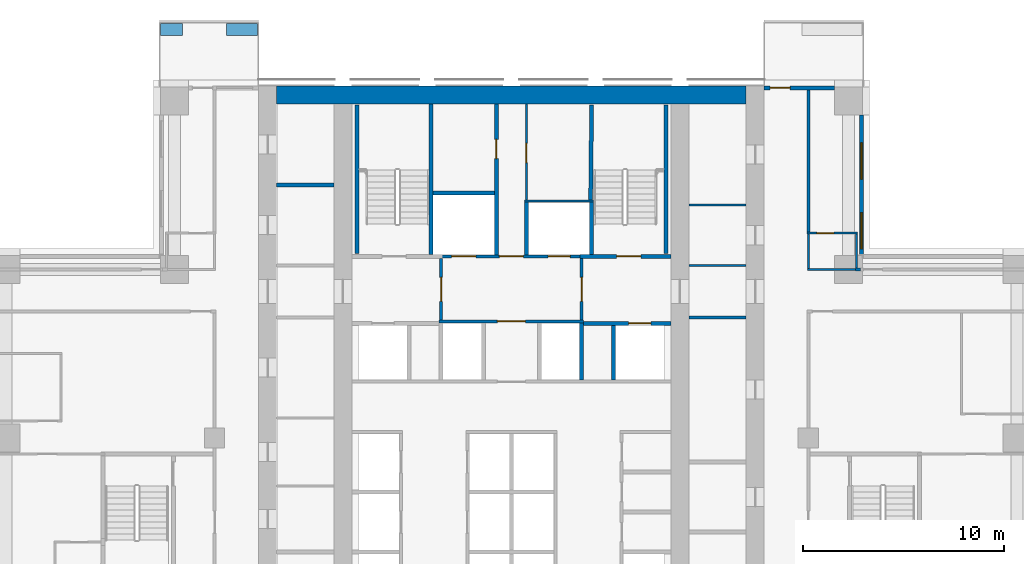
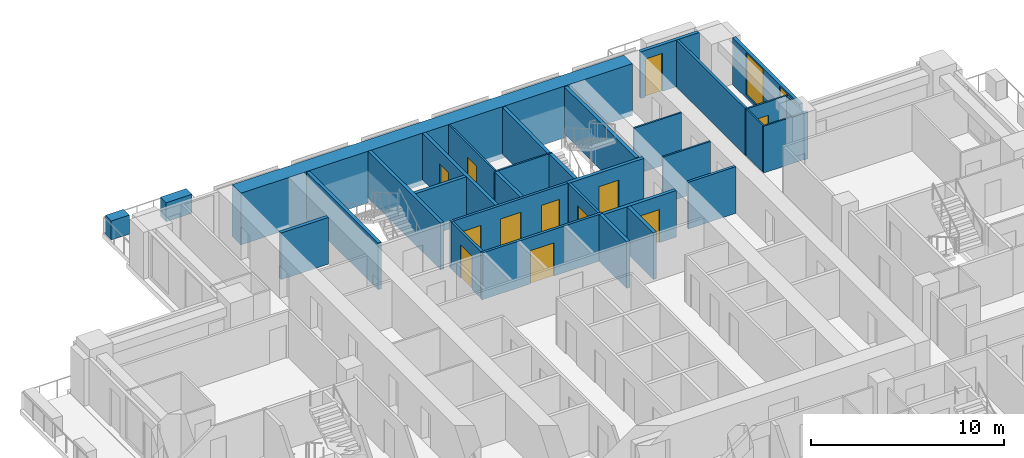
# One storey, part 11 of 16: 33 walls, 12 doors, 2 windows, 14 openings.
"""IFC4 building model written with IfcOpenShell, lengths in metres."""

from ifc_helpers import new_model, si_unit, direction, frame, frame_2d, origin, place, context, subcontext, project, spatial, rectangle, extrude, material, layer, layer_set, type_object, element, fill, save


model = new_model("IFC4")

# Units and contexts
model_context = context("Model", 3, precision=1e-05, world=origin(), true_north=direction((0.0, 1.0)))
body_context = subcontext(model_context, "Body", "Model", "MODEL_VIEW")
ifc_project = project(units=[si_unit("LENGTHUNIT", "METRE"), si_unit("AREAUNIT", "SQUARE_METRE"), si_unit("VOLUMEUNIT", "CUBIC_METRE"), si_unit("PLANEANGLEUNIT", "RADIAN"), si_unit("MASSUNIT", "GRAM", prefix="KILO")], contexts=[model_context])

# Site, building, storey
site_placement = place(None, origin())
site = spatial("IfcSite", under=ifc_project, at=site_placement, CompositionType="ELEMENT")
building_placement = place(site_placement, origin())
building = spatial("IfcBuilding", under=site, at=building_placement, Name="Vermilion Ogive Tower", CompositionType="ELEMENT")
storey_placement = place(building_placement, frame((0.0, 0.0, 72.449951171875)))
storey = spatial("IfcBuildingStorey", under=building, at=storey_placement, Name="L17", CompositionType="ELEMENT", Elevation=72.449951171875)

# Wall
ifc_material_1 = material(Name="Gypsum board partition on steel studs", Category="steel")
ifc_layer_1 = layer(ifc_material_1, 0.10009765625)
ifc_layer_set_1 = layer_set([ifc_layer_1], Name="Partition 100 bath")
wall_type_1 = type_object("IfcWallType", Name="Partition 100 bath", PredefinedType="PARTITIONING", material=ifc_layer_set_1)
wall_1_placement = place(storey_placement, frame((14.75, 12.60009765625, 0.0), z_axis=(0.0, 0.0, 1.0), x_axis=(1.0, 0.0, 0.0)))
element("IfcWall", 1, at=wall_1_placement, inside=storey, type_object=wall_type_1, Name="L17-W-W046", PredefinedType="PARTITIONING", context=body_context, shape_type="SweptSolid", body=[
    extrude(rectangle(XDim=2.5, YDim=0.10009765625, at=frame_2d((1.25, 0.0))), origin(), (0.0, 0.0, 1.0), 2.949951171875),
])

# Wall, opening, door
wall_2_placement = place(storey_placement, frame((14.72509765625, 14.39990234375, 0.0), z_axis=(0.0, 0.0, 1.0), x_axis=(1.0, 0.0, 0.0)))
wall_2 = element("IfcWall", 2, at=wall_2_placement, inside=storey, type_object=wall_type_1, Name="L17-W-W049", PredefinedType="PARTITIONING", context=body_context, shape_type="SweptSolid", body=[
    extrude(rectangle(XDim=2.52490234375, YDim=0.10009765625, at=frame_2d((1.262451171875, 0.0))), origin(), (0.0, 0.0, 1.0), 2.949951171875),
])
opening_1_placement = place(wall_2_placement, frame((0.5, 0.0, 0.0)))
opening_1 = element("IfcOpeningElement", 3, at=opening_1_placement, cuts=wall_2, Name="Opening D1G6024", PredefinedType="OPENING", context=body_context, shape_type="SweptSolid", body=[
    extrude(rectangle(XDim=0.85009765625, YDim=2.10009765625, at=frame_2d((0.425048828125, 1.050048828125))), frame((0.0, 0.06005859375, 0.0), z_axis=(0.0, -1.0, 0.0), x_axis=(1.0, 0.0, 0.0)), (0.0, 0.0, 1.0), 0.1201171875),
])
ifc_material_2 = material(Name="Timber door leaf", Category="wood")
door_type_1 = type_object("IfcDoorType", Name="Bath door 850 x 2100 FD30", OperationType="SINGLE_SWING_LEFT", PredefinedType="DOOR", material=ifc_material_2)
door_1_placement = place(opening_1_placement, origin())
door_1 = element("IfcDoor", 4, at=door_1_placement, inside=storey, type_object=door_type_1, Name="L17-D-D024", OperationType="SINGLE_SWING_RIGHT", OverallHeight=2.10009765625, OverallWidth=0.85009765625, PredefinedType="DOOR", context=body_context, shape_type="SweptSolid", body=[
    extrude(rectangle(XDim=0.85009765625, YDim=2.10009765625, at=frame_2d((0.425048828125, 1.050048828125))), frame((0.0, 0.02490234375, 0.0), z_axis=(0.0, -1.0, 0.0), x_axis=(1.0, 0.0, 0.0)), (0.0, 0.0, 1.0), 0.050048828125),
])
fill(opening_1, door_1)

# Walls
wall_3_placement = place(storey_placement, frame((14.800048828125, 12.64990234375, 0.0), z_axis=(0.0, 0.0, 1.0), x_axis=(0.0, 1.0, 0.0)))
element("IfcWall", 5, at=wall_3_placement, inside=storey, type_object=wall_type_1, Name="L17-W-W086", PredefinedType="PARTITIONING", context=body_context, shape_type="SweptSolid", body=[
    extrude(rectangle(XDim=1.7001953125, YDim=0.10009765625, at=frame_2d((0.85009765625, 0.0))), origin(), (0.0, 0.0, 1.0), 2.949951171875),
])
wall_4_placement = place(storey_placement, frame((17.199951171875, 12.675048828125, 0.0), z_axis=(0.0, 0.0, 1.0), x_axis=(0.0, 1.0, 0.0)))
element("IfcWall", 6, at=wall_4_placement, inside=storey, type_object=wall_type_1, Name="L17-W-W091", PredefinedType="PARTITIONING", context=body_context, shape_type="SweptSolid", body=[
    extrude(rectangle(XDim=1.675048828125, YDim=0.10009765625, at=frame_2d((0.83740234375, 0.0))), origin(), (0.0, 0.0, 1.0), 2.949951171875),
])
wall_5_placement = place(storey_placement, frame((0.64990234375, 16.0, 0.0), z_axis=(0.0, 0.0, 1.0), x_axis=(1.0, 0.0, 0.0)))
element("IfcWall", 7, at=wall_5_placement, inside=storey, type_object=wall_type_1, Name="L17-CK-W-W021", PredefinedType="PARTITIONING", context=body_context, shape_type="SweptSolid", body=[
    extrude(rectangle(XDim=3.4501953125, YDim=0.10009765625, at=frame_2d((1.72509765625, 0.0))), origin(), (0.0, 0.0, 1.0), 2.949951171875),
])

# Wall, opening, door
wall_6_placement = place(storey_placement, frame((0.75, 16.050048828125, 0.0), z_axis=(0.0, 0.0, 1.0), x_axis=(0.0, 1.0, 0.0)))
wall_6 = element("IfcWall", 8, at=wall_6_placement, inside=storey, type_object=wall_type_1, Name="L17-CK-W-W033", PredefinedType="PARTITIONING", context=body_context, shape_type="SweptSolid", body=[
    extrude(rectangle(XDim=4.799072265625, YDim=0.10009765625, at=frame_2d((2.3994140625, 0.0))), origin(), (0.0, 0.0, 1.0), 2.949951171875),
])
opening_2_placement = place(wall_6_placement, frame((1.875, 0.0, 0.0)))
opening_2 = element("IfcOpeningElement", 9, at=opening_2_placement, cuts=wall_6, Name="Opening DAA123", PredefinedType="OPENING", context=body_context, shape_type="SweptSolid", body=[
    extrude(rectangle(XDim=0.949951171875, YDim=2.10009765625, at=frame_2d((0.47509765625, 1.050048828125))), frame((0.0, 0.06005859375, 0.0), z_axis=(0.0, -1.0, 0.0), x_axis=(1.0, 0.0, 0.0)), (0.0, 0.0, 1.0), 0.1201171875),
])
ifc_material_3 = material(Name="Timber door leaf", Category="wood")
door_type_2 = type_object("IfcDoorType", Name="Service door 950 x 2100 FD60", OperationType="SINGLE_SWING_LEFT", PredefinedType="DOOR", material=ifc_material_3)
door_2_placement = place(opening_2_placement, origin())
door_2 = element("IfcDoor", 10, at=door_2_placement, inside=storey, type_object=door_type_2, Name="L17-CK-D-D022", OperationType="SINGLE_SWING_LEFT", OverallHeight=2.10009765625, OverallWidth=0.949951171875, PredefinedType="DOOR", context=body_context, shape_type="SweptSolid", body=[
    extrude(rectangle(XDim=0.949951171875, YDim=2.10009765625, at=frame_2d((0.47509765625, 1.050048828125))), frame((0.0, 0.02490234375, 0.0), z_axis=(0.0, -1.0, 0.0), x_axis=(1.0, 0.0, 0.0)), (0.0, 0.0, 1.0), 0.050048828125),
])
fill(opening_2, door_2)

# Walls
for number, where, z_axis, x_axis, name in (
    (11, (8.85107421875, 12.800048828125, 0.0), (0.0, 0.0, 1.0), (1.0, 0.0, 0.0), "L17-CKE-W-W004"),
    (12, (8.85107421875, 15.800048828125, 0.0), (0.0, 0.0, 1.0), (1.0, 0.0, 0.0), "L17-CKE-W-W005"),
):
    element("IfcWall", number, at=place(storey_placement, frame(where, z_axis=z_axis, x_axis=x_axis)), inside=storey, type_object=wall_type_1, Name=name, PredefinedType="PARTITIONING", context=body_context, shape_type="SweptSolid", body=[
        extrude(rectangle(XDim=2.847900390625, YDim=0.10009765625, at=frame_2d((1.423828125, 0.0))), origin(), (0.0, 0.0, 1.0), 2.949951171875),
    ])
ifc_material_4 = material(Name="Gypsum board partition on steel studs", Category="steel")
ifc_layer_2 = layer(ifc_material_4, 0.14990234375)
ifc_layer_set_2 = layer_set([ifc_layer_2], Name="Partition 150 corridor")
wall_type_2 = type_object("IfcWallType", Name="Partition 150 corridor", PredefinedType="PARTITIONING", material=ifc_layer_set_2)
wall_7_placement = place(storey_placement, frame((17.14990234375, 12.60009765625, 0.0), z_axis=(0.0, 0.0, 1.0), x_axis=(1.0, 0.0, 0.0)))
element("IfcWall", 13, at=wall_7_placement, inside=storey, type_object=wall_type_2, Name="L17-W-W047", PredefinedType="PARTITIONING", context=body_context, shape_type="SweptSolid", body=[
    extrude(rectangle(XDim=0.25, YDim=0.14990234375, at=frame_2d((0.125, 0.0))), origin(), (0.0, 0.0, 1.0), 2.949951171875),
])
wall_8_placement = place(storey_placement, frame((14.800048828125, 14.449951171875, 0.0), z_axis=(0.0, 0.0, 1.0), x_axis=(0.0, 1.0, 0.0)))
element("IfcWall", 14, at=wall_8_placement, inside=storey, type_object=wall_type_2, Name="L17-W-W087", PredefinedType="PARTITIONING", context=body_context, shape_type="SweptSolid", body=[
    extrude(rectangle(XDim=7.10009765625, YDim=0.14990234375, at=frame_2d((3.550048828125, 0.0))), origin(), (0.0, 0.0, 1.0), 2.949951171875),
])

# Wall, opening, door
wall_9_placement = place(storey_placement, frame((-3.60009765625, 10.0, 0.0), z_axis=(0.0, 0.0, 1.0), x_axis=(1.0, 0.0, 0.0)))
wall_9 = element("IfcWall", 15, at=wall_9_placement, inside=storey, type_object=wall_type_2, Name="L17-CK-W-W017", PredefinedType="PARTITIONING", context=body_context, shape_type="SweptSolid", body=[
    extrude(rectangle(XDim=7.2001953125, YDim=0.14990234375, at=frame_2d((3.60009765625, 0.0))), origin(), (0.0, 0.0, 1.0), 2.949951171875),
])
opening_3_placement = place(wall_9_placement, frame((2.900146484375, 0.0, 0.0)))
opening_3 = element("IfcOpeningElement", 16, at=opening_3_placement, cuts=wall_9, Name="Opening DAA117", PredefinedType="OPENING", context=body_context, shape_type="SweptSolid", body=[
    extrude(rectangle(XDim=1.39990234375, YDim=2.10009765625, at=frame_2d((0.699951171875, 1.050048828125))), frame((0.0, 0.0849609375, 0.0), z_axis=(0.0, -1.0, 0.0), x_axis=(1.0, 0.0, 0.0)), (0.0, 0.0, 1.0), 0.169921875),
])
ifc_material_5 = material(Name="Timber door leaf", Category="wood")
door_type_3 = type_object("IfcDoorType", Name="Lobby door 1400 x 2100 FD60S", OperationType="SINGLE_SWING_LEFT", PredefinedType="DOOR", material=ifc_material_5)
door_3_placement = place(opening_3_placement, origin())
door_3 = element("IfcDoor", 17, at=door_3_placement, inside=storey, type_object=door_type_3, Name="L17-CK-D-D017", OperationType="SINGLE_SWING_RIGHT", OverallHeight=2.10009765625, OverallWidth=1.39990234375, PredefinedType="DOOR", context=body_context, shape_type="SweptSolid", body=[
    extrude(rectangle(XDim=1.39990234375, YDim=2.10009765625, at=frame_2d((0.699951171875, 1.050048828125))), frame((0.0, 0.02490234375, 0.0), z_axis=(0.0, -1.0, 0.0), x_axis=(1.0, 0.0, 0.0)), (0.0, 0.0, 1.0), 0.050048828125),
])
fill(opening_3, door_3)

# Wall, openings, doors
wall_10_placement = place(storey_placement, frame((-3.574951171875, 13.25, 0.0), z_axis=(0.0, 0.0, 1.0), x_axis=(1.0, 0.0, 0.0)))
wall_10 = element("IfcWall", 18, at=wall_10_placement, inside=storey, type_object=wall_type_2, Name="L17-CK-W-W019", PredefinedType="PARTITIONING", context=body_context, shape_type="SweptSolid", body=[
    extrude(rectangle(XDim=7.14990234375, YDim=0.14990234375, at=frame_2d((3.574951171875, 0.0))), origin(), (0.0, 0.0, 1.0), 2.949951171875),
])
opening_4_placement = place(wall_10_placement, frame((0.599853515625, 0.0, 0.0)))
opening_4 = element("IfcOpeningElement", 19, at=opening_4_placement, cuts=wall_10, Name="Opening DAA137", PredefinedType="OPENING", context=body_context, shape_type="SweptSolid", body=[
    extrude(rectangle(XDim=1.199951171875, YDim=2.10009765625, at=frame_2d((0.60009765625, 1.050048828125))), frame((0.0, 0.0849609375, 0.0), z_axis=(0.0, -1.0, 0.0), x_axis=(1.0, 0.0, 0.0)), (0.0, 0.0, 1.0), 0.169921875),
])
opening_5_placement = place(wall_10_placement, frame((5.39990234375, 0.0, 0.0)))
opening_5 = element("IfcOpeningElement", 20, at=opening_5_placement, cuts=wall_10, Name="Opening DAA128", PredefinedType="OPENING", context=body_context, shape_type="SweptSolid", body=[
    extrude(rectangle(XDim=1.10009765625, YDim=2.10009765625, at=frame_2d((0.550048828125, 1.050048828125))), frame((0.0, 0.0849609375, 0.0), z_axis=(0.0, -1.0, 0.0), x_axis=(1.0, 0.0, 0.0)), (0.0, 0.0, 1.0), 0.169921875),
])
opening_6_placement = place(wall_10_placement, frame((2.974853515625, 0.0, 0.0)))
opening_6 = element("IfcOpeningElement", 21, at=opening_6_placement, cuts=wall_10, Name="Opening DAA118", PredefinedType="OPENING", context=body_context, shape_type="SweptSolid", body=[
    extrude(rectangle(XDim=1.199951171875, YDim=2.10009765625, at=frame_2d((0.60009765625, 1.050048828125))), frame((0.0, 0.0849609375, 0.0), z_axis=(0.0, -1.0, 0.0), x_axis=(1.0, 0.0, 0.0)), (0.0, 0.0, 1.0), 0.169921875),
])
ifc_material_6 = material(Name="Stainless steel", Category="steel")
door_type_4 = type_object("IfcDoorType", Name="Lift landing door 1100 x 2100", OperationType="SLIDING_TO_LEFT", PredefinedType="DOOR", material=ifc_material_6)
door_4_placement = place(opening_5_placement, origin())
door_4 = element("IfcDoor", 22, at=door_4_placement, inside=storey, type_object=door_type_4, Name="L17-CK-D-D019", OperationType="SLIDING_TO_LEFT", OverallHeight=2.10009765625, OverallWidth=1.10009765625, PredefinedType="DOOR", context=body_context, shape_type="SweptSolid", body=[
    extrude(rectangle(XDim=1.10009765625, YDim=2.10009765625, at=frame_2d((0.550048828125, 1.050048828125))), frame((0.0, 0.02490234375, 0.0), z_axis=(0.0, -1.0, 0.0), x_axis=(1.0, 0.0, 0.0)), (0.0, 0.0, 1.0), 0.050048828125),
])
fill(opening_5, door_4)
ifc_material_7 = material(Name="Stainless steel", Category="steel")
door_type_5 = type_object("IfcDoorType", Name="Lift landing door 1200 x 2100", OperationType="SLIDING_TO_LEFT", PredefinedType="DOOR", material=ifc_material_7)
door_5_placement = place(opening_4_placement, origin())
door_5 = element("IfcDoor", 23, at=door_5_placement, inside=storey, type_object=door_type_5, Name="L17-CK-D-D018", OperationType="SLIDING_TO_RIGHT", OverallHeight=2.10009765625, OverallWidth=1.199951171875, PredefinedType="DOOR", context=body_context, shape_type="SweptSolid", body=[
    extrude(rectangle(XDim=1.199951171875, YDim=2.10009765625, at=frame_2d((0.60009765625, 1.050048828125))), frame((0.0, 0.02490234375, 0.0), z_axis=(0.0, -1.0, 0.0), x_axis=(1.0, 0.0, 0.0)), (0.0, 0.0, 1.0), 0.050048828125),
])
fill(opening_4, door_5)
ifc_material_8 = material(Name="Timber door leaf", Category="wood")
door_type_6 = type_object("IfcDoorType", Name="Service door 1200 x 2100 FD60", OperationType="SINGLE_SWING_LEFT", PredefinedType="DOOR", material=ifc_material_8)
door_6_placement = place(opening_6_placement, origin())
door_6 = element("IfcDoor", 24, at=door_6_placement, inside=storey, type_object=door_type_6, Name="L17-CK-D-D020", OperationType="SINGLE_SWING_RIGHT", OverallHeight=2.10009765625, OverallWidth=1.199951171875, PredefinedType="DOOR", context=body_context, shape_type="SweptSolid", body=[
    extrude(rectangle(XDim=1.199951171875, YDim=2.10009765625, at=frame_2d((0.60009765625, 1.050048828125))), frame((0.0, 0.02490234375, 0.0), z_axis=(0.0, -1.0, 0.0), x_axis=(1.0, 0.0, 0.0)), (0.0, 0.0, 1.0), 0.050048828125),
])
fill(opening_6, door_6)

# Wall, opening, door
wall_11_placement = place(storey_placement, frame((-3.5, 10.074951171875, 0.0), z_axis=(0.0, 0.0, 1.0), x_axis=(0.0, 1.0, 0.0)))
wall_11 = element("IfcWall", 25, at=wall_11_placement, inside=storey, type_object=wall_type_2, Name="L17-CK-W-W027", PredefinedType="PARTITIONING", context=body_context, shape_type="SweptSolid", body=[
    extrude(rectangle(XDim=3.074951171875, YDim=0.14990234375, at=frame_2d((1.53759765625, 0.0))), origin(), (0.0, 0.0, 1.0), 2.949951171875),
])
opening_7_placement = place(wall_11_placement, frame((0.925048828125, 0.0, 0.0)))
opening_7 = element("IfcOpeningElement", 26, at=opening_7_placement, cuts=wall_11, Name="Opening DAA114", PredefinedType="OPENING", context=body_context, shape_type="SweptSolid", body=[
    extrude(rectangle(XDim=1.199951171875, YDim=2.10009765625, at=frame_2d((0.60009765625, 1.050048828125))), frame((0.0, 0.0849609375, 0.0), z_axis=(0.0, -1.0, 0.0), x_axis=(1.0, 0.0, 0.0)), (0.0, 0.0, 1.0), 0.169921875),
])
ifc_material_9 = material(Name="Timber door leaf", Category="wood")
door_type_7 = type_object("IfcDoorType", Name="Lobby door 1200 x 2100 FD60S", OperationType="SINGLE_SWING_LEFT", PredefinedType="DOOR", material=ifc_material_9)
door_7_placement = place(opening_7_placement, origin())
door_7 = element("IfcDoor", 27, at=door_7_placement, inside=storey, type_object=door_type_7, Name="L17-CK-D-D023", OperationType="SINGLE_SWING_RIGHT", OverallHeight=2.10009765625, OverallWidth=1.199951171875, PredefinedType="DOOR", context=body_context, shape_type="SweptSolid", body=[
    extrude(rectangle(XDim=1.199951171875, YDim=2.10009765625, at=frame_2d((0.60009765625, 1.050048828125))), frame((0.0, 0.02490234375, 0.0), z_axis=(0.0, -1.0, 0.0), x_axis=(1.0, 0.0, 0.0)), (0.0, 0.0, 1.0), 0.050048828125),
])
fill(opening_7, door_7)

wall_12_placement = place(storey_placement, frame((3.5, 10.074951171875, 0.0), z_axis=(0.0, 0.0, 1.0), x_axis=(0.0, 1.0, 0.0)))
wall_12 = element("IfcWall", 28, at=wall_12_placement, inside=storey, type_object=wall_type_2, Name="L17-CK-W-W037", PredefinedType="PARTITIONING", context=body_context, shape_type="SweptSolid", body=[
    extrude(rectangle(XDim=3.074951171875, YDim=0.14990234375, at=frame_2d((1.53759765625, 0.0))), origin(), (0.0, 0.0, 1.0), 2.949951171875),
])
opening_8_placement = place(wall_12_placement, frame((0.925048828125, 0.0, 0.0)))
opening_8 = element("IfcOpeningElement", 29, at=opening_8_placement, cuts=wall_12, Name="Opening DAA115", PredefinedType="OPENING", context=body_context, shape_type="SweptSolid", body=[
    extrude(rectangle(XDim=1.199951171875, YDim=2.10009765625, at=frame_2d((0.60009765625, 1.050048828125))), frame((0.0, 0.0849609375, 0.0), z_axis=(0.0, -1.0, 0.0), x_axis=(1.0, 0.0, 0.0)), (0.0, 0.0, 1.0), 0.169921875),
])
door_8_placement = place(opening_8_placement, origin())
door_8 = element("IfcDoor", 30, at=door_8_placement, inside=storey, type_object=door_type_7, Name="L17-CK-D-D024", OperationType="SINGLE_SWING_LEFT", OverallHeight=2.10009765625, OverallWidth=1.199951171875, PredefinedType="DOOR", context=body_context, shape_type="SweptSolid", body=[
    extrude(rectangle(XDim=1.199951171875, YDim=2.10009765625, at=frame_2d((0.60009765625, 1.050048828125))), frame((0.0, 0.02490234375, 0.0), z_axis=(0.0, -1.0, 0.0), x_axis=(1.0, 0.0, 0.0)), (0.0, 0.0, 1.0), 0.050048828125),
])
fill(opening_8, door_8)

# Wall
wall_13_placement = place(storey_placement, frame((8.85107421875, 10.199951171875, 0.0), z_axis=(0.0, 0.0, 1.0), x_axis=(1.0, 0.0, 0.0)))
element("IfcWall", 31, at=wall_13_placement, inside=storey, type_object=wall_type_2, Name="L17-CKE-W-W003", PredefinedType="PARTITIONING", context=body_context, shape_type="SweptSolid", body=[
    extrude(rectangle(XDim=2.847900390625, YDim=0.14990234375, at=frame_2d((1.423828125, 0.0))), origin(), (0.0, 0.0, 1.0), 2.949951171875),
])

# Wall, opening, door
ifc_material_10 = material(Name="Gypsum board partition on steel studs", Category="steel")
ifc_layer_3 = layer(ifc_material_10, 0.199951171875)
ifc_layer_set_3 = layer_set([ifc_layer_3], Name="Partition 200 party")
wall_type_3 = type_object("IfcWallType", Name="Partition 200 party", PredefinedType="PARTITIONING", material=ifc_layer_set_3)
wall_14_placement = place(storey_placement, frame((3.60009765625, 9.89990234375, 0.0), z_axis=(0.0, 0.0, 1.0), x_axis=(1.0, 0.0, 0.0)))
wall_14 = element("IfcWall", 32, at=wall_14_placement, inside=storey, type_object=wall_type_3, Name="L17-CK-W-W016", PredefinedType="PARTITIONING", context=body_context, shape_type="SweptSolid", body=[
    extrude(rectangle(XDim=4.348876953125, YDim=0.199951171875, at=frame_2d((2.17431640625, 0.0))), origin(), (0.0, 0.0, 1.0), 2.949951171875),
])
opening_9_placement = place(wall_14_placement, frame((2.25, 0.0, 0.0)))
opening_9 = element("IfcOpeningElement", 33, at=opening_9_placement, cuts=wall_14, Name="Opening DAA127", PredefinedType="OPENING", context=body_context, shape_type="SweptSolid", body=[
    extrude(rectangle(XDim=1.10009765625, YDim=2.10009765625, at=frame_2d((0.550048828125, 1.050048828125))), frame((0.0, 0.10986328125, 0.0), z_axis=(0.0, -1.0, 0.0), x_axis=(1.0, 0.0, 0.0)), (0.0, 0.0, 1.0), 0.219970703125),
])
door_9_placement = place(opening_9_placement, origin())
door_9 = element("IfcDoor", 34, at=door_9_placement, inside=storey, type_object=door_type_4, Name="L17-CK-D-D015", OperationType="SLIDING_TO_LEFT", OverallHeight=2.10009765625, OverallWidth=1.10009765625, PredefinedType="DOOR", context=body_context, shape_type="SweptSolid", body=[
    extrude(rectangle(XDim=1.10009765625, YDim=2.10009765625, at=frame_2d((0.550048828125, 1.050048828125))), frame((0.0, 0.02490234375, 0.0), z_axis=(0.0, -1.0, 0.0), x_axis=(1.0, 0.0, 0.0)), (0.0, 0.0, 1.0), 0.050048828125),
])
fill(opening_9, door_9)

# Wall
wall_15_placement = place(storey_placement, frame((-3.89990234375, 16.39990234375, 0.0), z_axis=(0.0, 0.0, 1.0), x_axis=(1.0, 0.0, 0.0)))
element("IfcWall", 35, at=wall_15_placement, inside=storey, type_object=wall_type_3, Name="L17-CK-W-W022", PredefinedType="PARTITIONING", context=body_context, shape_type="SweptSolid", body=[
    extrude(rectangle(XDim=3.0498046875, YDim=0.199951171875, at=frame_2d((1.52490234375, 0.0))), origin(), (0.0, 0.0, 1.0), 2.949951171875),
])

# Wall, opening, door
wall_16_placement = place(storey_placement, frame((-0.75, 13.324951171875, 0.0), z_axis=(0.0, 0.0, 1.0), x_axis=(0.0, 1.0, 0.0)))
wall_16 = element("IfcWall", 36, at=wall_16_placement, inside=storey, type_object=wall_type_3, Name="L17-CK-W-W030", PredefinedType="PARTITIONING", context=body_context, shape_type="SweptSolid", body=[
    extrude(rectangle(XDim=7.524169921875, YDim=0.199951171875, at=frame_2d((3.76220703125, 0.0))), origin(), (0.0, 0.0, 1.0), 2.949951171875),
])
opening_10_placement = place(wall_16_placement, frame((4.800048828125, 0.0, 0.0)))
opening_10 = element("IfcOpeningElement", 37, at=opening_10_placement, cuts=wall_16, Name="Opening DAA122", PredefinedType="OPENING", context=body_context, shape_type="SweptSolid", body=[
    extrude(rectangle(XDim=0.949951171875, YDim=2.10009765625, at=frame_2d((0.47509765625, 1.050048828125))), frame((0.0, 0.10986328125, 0.0), z_axis=(0.0, -1.0, 0.0), x_axis=(1.0, 0.0, 0.0)), (0.0, 0.0, 1.0), 0.219970703125),
])
door_10_placement = place(opening_10_placement, origin())
door_10 = element("IfcDoor", 38, at=door_10_placement, inside=storey, type_object=door_type_2, Name="L17-CK-D-D021", OperationType="SINGLE_SWING_RIGHT", OverallHeight=2.10009765625, OverallWidth=0.949951171875, PredefinedType="DOOR", context=body_context, shape_type="SweptSolid", body=[
    extrude(rectangle(XDim=0.949951171875, YDim=2.10009765625, at=frame_2d((0.47509765625, 1.050048828125))), frame((0.0, 0.02490234375, 0.0), z_axis=(0.0, -1.0, 0.0), x_axis=(1.0, 0.0, 0.0)), (0.0, 0.0, 1.0), 0.050048828125),
])
fill(opening_10, door_10)

# Walls
wall_17_placement = place(storey_placement, frame((0.75, 13.324951171875, 0.0), z_axis=(0.0, 0.0, 1.0), x_axis=(0.0, 1.0, 0.0)))
element("IfcWall", 39, at=wall_17_placement, inside=storey, type_object=wall_type_3, Name="L17-CK-W-W032", PredefinedType="PARTITIONING", context=body_context, shape_type="SweptSolid", body=[
    extrude(rectangle(XDim=2.625, YDim=0.199951171875, at=frame_2d((1.3125, 0.0))), origin(), (0.0, 0.0, 1.0), 2.949951171875),
])
wall_18_placement = place(storey_placement, frame((3.5, 7.074951171875, 0.0), z_axis=(0.0, 0.0, 1.0), x_axis=(0.0, 1.0, 0.0)))
element("IfcWall", 40, at=wall_18_placement, inside=storey, type_object=wall_type_3, Name="L17-CK-W-W036", PredefinedType="PARTITIONING", context=body_context, shape_type="SweptSolid", body=[
    extrude(rectangle(XDim=2.85009765625, YDim=0.199951171875, at=frame_2d((1.425048828125, 0.0))), origin(), (0.0, 0.0, 1.0), 2.949951171875),
])
wall_19_placement = place(storey_placement, frame((5.10009765625, 7.074951171875, 0.0), z_axis=(0.0, 0.0, 1.0), x_axis=(0.0, 1.0, 0.0)))
element("IfcWall", 41, at=wall_19_placement, inside=storey, type_object=wall_type_3, Name="L17-CK-W-W040", PredefinedType="PARTITIONING", context=body_context, shape_type="SweptSolid", body=[
    extrude(rectangle(XDim=2.72509765625, YDim=0.199951171875, at=frame_2d((1.362548828125, 0.0))), origin(), (0.0, 0.0, 1.0), 2.949951171875),
])
wall_20_placement = place(storey_placement, frame((-11.698974609375, 16.800048828125, 0.0), z_axis=(0.0, 0.0, 1.0), x_axis=(1.0, 0.0, 0.0)))
element("IfcWall", 42, at=wall_20_placement, inside=storey, type_object=wall_type_3, Name="L17-CKW-W-W006", PredefinedType="PARTITIONING", context=body_context, shape_type="SweptSolid", body=[
    extrude(rectangle(XDim=2.847900390625, YDim=0.199951171875, at=frame_2d((1.423828125, 0.0))), origin(), (0.0, 0.0, 1.0), 2.949951171875),
])
ifc_material_11 = material(Name="Concrete B60", Category="concrete")
ifc_layer_4 = layer(ifc_material_11, 0.199951171875)
ifc_layer_set_4 = layer_set([ifc_layer_4], Name="Stair shaft wall 200 Concrete B60")
wall_type_4 = type_object("IfcWallType", Name="Stair shaft wall 200 Concrete B60", PredefinedType="SOLIDWALL", material=ifc_layer_set_4)
wall_21_placement = place(storey_placement, frame((-11.699951171875, 21.300048828125, -0.320068359375), z_axis=(0.0, 0.0, 1.0), x_axis=(1.0, 0.0, 0.0)))
element("IfcWall", 43, at=wall_21_placement, inside=storey, type_object=wall_type_4, Name="L17-CORE-N", PredefinedType="SOLIDWALL", context=body_context, shape_type="SweptSolid", body=[
    extrude(rectangle(XDim=23.39990234375, YDim=0.89990234375, at=frame_2d((11.699951171875, 0.0))), origin(), (0.0, 0.0, 1.0), 3.27001953125),
])

# Wall, opening, door
wall_22_placement = place(storey_placement, frame((3.425048828125, 13.25, 0.0), z_axis=(0.0, 0.0, 1.0), x_axis=(1.0, 0.0, 0.0)))
wall_22 = element("IfcWall", 44, at=wall_22_placement, inside=storey, type_object=wall_type_4, Name="L17-CK-W-W020", PredefinedType="SOLIDWALL", context=body_context, shape_type="SweptSolid", body=[
    extrude(rectangle(XDim=4.52392578125, YDim=0.199951171875, at=frame_2d((2.261962890625, 0.0))), origin(), (0.0, 0.0, 1.0), 2.949951171875),
])
opening_11_placement = place(wall_22_placement, frame((1.824951171875, 0.0, 0.0)))
opening_11 = element("IfcOpeningElement", 45, at=opening_11_placement, cuts=wall_22, Name="Opening DAA125", PredefinedType="OPENING", context=body_context, shape_type="SweptSolid", body=[
    extrude(rectangle(XDim=1.199951171875, YDim=2.10009765625, at=frame_2d((0.60009765625, 1.050048828125))), frame((0.0, 0.10986328125, 0.0), z_axis=(0.0, -1.0, 0.0), x_axis=(1.0, 0.0, 0.0)), (0.0, 0.0, 1.0), 0.219970703125),
])
ifc_material_12 = material(Name="Timber door leaf", Category="wood")
door_type_8 = type_object("IfcDoorType", Name="Stair door 1200 x 2100 FD60S", OperationType="SINGLE_SWING_LEFT", PredefinedType="DOOR", material=ifc_material_12)
door_11_placement = place(opening_11_placement, origin())
door_11 = element("IfcDoor", 46, at=door_11_placement, inside=storey, type_object=door_type_8, Name="L17-CK-D-D014", OperationType="SINGLE_SWING_RIGHT", OverallHeight=2.10009765625, OverallWidth=1.199951171875, PredefinedType="DOOR", context=body_context, shape_type="SweptSolid", body=[
    extrude(rectangle(XDim=1.199951171875, YDim=2.10009765625, at=frame_2d((0.60009765625, 1.050048828125))), frame((0.0, 0.02490234375, 0.0), z_axis=(0.0, -1.0, 0.0), x_axis=(1.0, 0.0, 0.0)), (0.0, 0.0, 1.0), 0.050048828125),
])
fill(opening_11, door_11)

# Walls
wall_23_placement = place(storey_placement, frame((-4.0, 13.35009765625, 0.0), z_axis=(0.0, 0.0, 1.0), x_axis=(0.0, 1.0, 0.0)))
element("IfcWall", 47, at=wall_23_placement, inside=storey, type_object=wall_type_4, Name="L17-CK-W-W025", PredefinedType="SOLIDWALL", context=body_context, shape_type="SweptSolid", body=[
    extrude(rectangle(XDim=7.4990234375, YDim=0.199951171875, at=frame_2d((3.74951171875, 0.0))), origin(), (0.0, 0.0, 1.0), 2.949951171875),
])
wall_24_placement = place(storey_placement, frame((4.0, 13.35009765625, 0.0), z_axis=(0.0, 0.0, 1.0), x_axis=(0.0, 1.0, 0.0)))
element("IfcWall", 48, at=wall_24_placement, inside=storey, type_object=wall_type_4, Name="L17-CK-W-W038", PredefinedType="SOLIDWALL", context=body_context, shape_type="SweptSolid", body=[
    extrude(rectangle(XDim=2.599853515625, YDim=0.199951171875, at=frame_2d((1.2998046875, 0.0))), origin(), (0.0, 0.0, 1.0), 2.949951171875),
])
wall_25_placement = place(storey_placement, frame((3.949951171875, 16.050048828125, 0.0), z_axis=(0.0, 0.0, 1.0), x_axis=(0.010538176883, 0.999944471872, 0.0)))
element("IfcWall", 49, at=wall_25_placement, inside=storey, type_object=wall_type_4, Name="L17-CK-W-W039", PredefinedType="SOLIDWALL", context=body_context, shape_type="SweptSolid", body=[
    extrude(rectangle(XDim=4.749267578125, YDim=0.199951171875, at=frame_2d((2.37451171875, 0.0))), origin(), (0.0, 0.0, 1.0), 2.949951171875),
])
for number, where, z_axis, x_axis, name in (
    (50, (-7.699951171875, 13.39990234375, 0.0), (0.0, 0.0, 1.0), (0.0, 1.0, 0.0), "L17-SW-R023-W1"),
    (51, (7.699951171875, 13.39990234375, 0.0), (0.0, 0.0, 1.0), (0.0, 1.0, 0.0), "L17-SW-R027-E1"),
):
    element("IfcWall", number, at=place(storey_placement, frame(where, z_axis=z_axis, x_axis=x_axis)), inside=storey, type_object=wall_type_4, Name=name, PredefinedType="SOLIDWALL", context=body_context, shape_type="SweptSolid", body=[
        extrude(rectangle(XDim=7.400146484375, YDim=0.199951171875, at=frame_2d((3.7001953125, 0.0))), origin(), (0.0, 0.0, 1.0), 2.949951171875),
    ])
ifc_material_13 = material(Name="Concrete B40", Category="concrete")
ifc_layer_5 = layer(ifc_material_13, 0.60009765625)
ifc_layer_set_5 = layer_set([ifc_layer_5], Name="Structural planter")
wall_type_5 = type_object("IfcWallType", Name="Structural planter", PredefinedType="USERDEFINED", material=ifc_layer_set_5)
wall_26_placement = place(storey_placement, frame((-12.659912109375, 24.550048828125, -0.0400390625), z_axis=(0.0, 0.0, 1.0), x_axis=(-1.0, 0.0, 0.0)))
element("IfcWall", 52, at=wall_26_placement, inside=storey, type_object=wall_type_5, Name="Planter N201A1", ObjectType="PLANTER", PredefinedType="USERDEFINED", context=body_context, shape_type="SweptSolid", body=[
    extrude(rectangle(XDim=1.5400390625, YDim=0.60009765625, at=frame_2d((0.77001953125, 0.0))), origin(), (0.0, 0.0, 1.0), 1.2001953125),
])
wall_27_placement = place(storey_placement, frame((-16.39990234375, 24.550048828125, -0.0400390625), z_axis=(0.0, 0.0, 1.0), x_axis=(-1.0, 0.0, 0.0)))
element("IfcWall", 53, at=wall_27_placement, inside=storey, type_object=wall_type_5, Name="Planter N201A2", ObjectType="PLANTER", PredefinedType="USERDEFINED", context=body_context, shape_type="SweptSolid", body=[
    extrude(rectangle(XDim=1.090087890625, YDim=0.60009765625, at=frame_2d((0.544921875, 0.0))), origin(), (0.0, 0.0, 1.0), 1.2001953125),
])

# Wall, openings, windows
ifc_material_14 = material(Name="Aluminium window wall framing", Category="aluminium")
ifc_layer_6 = layer(ifc_material_14, 0.199951171875)
ifc_layer_set_6 = layer_set([ifc_layer_6], Name="Window wall")
wall_type_6 = type_object("IfcWallType", Name="Window wall", PredefinedType="STANDARD", material=ifc_layer_set_6)
wall_28_placement = place(storey_placement, frame((17.449951171875, 13.35009765625, 0.0), z_axis=(0.0, 0.0, 1.0), x_axis=(0.0, 1.0, 0.0)))
wall_28 = element("IfcWall", 54, at=wall_28_placement, inside=storey, type_object=wall_type_6, Name="Window wall X41", PredefinedType="STANDARD", context=body_context, shape_type="SweptSolid", body=[
    extrude(rectangle(XDim=6.949951171875, YDim=0.199951171875, at=frame_2d((3.47509765625, 0.0))), origin(), (0.0, 0.0, 1.0), 2.949951171875),
])
opening_12_placement = place(wall_28_placement, frame((0.27490234375, 0.0, 0.199951171875)))
opening_12 = element("IfcOpeningElement", 55, at=opening_12_placement, cuts=wall_28, Name="Opening W1-X403", PredefinedType="OPENING", context=body_context, shape_type="SweptSolid", body=[
    extrude(rectangle(XDim=1.800048828125, YDim=2.64990234375, at=frame_2d((0.89990234375, 1.324951171875))), frame((0.0, 0.10986328125, 0.0), z_axis=(0.0, -1.0, 0.0), x_axis=(1.0, 0.0, 0.0)), (0.0, 0.0, 1.0), 0.219970703125),
])
opening_13_placement = place(wall_28_placement, frame((3.75, 0.0, 0.199951171875)))
opening_13 = element("IfcOpeningElement", 56, at=opening_13_placement, cuts=wall_28, Name="Opening W1-X404", PredefinedType="OPENING", context=body_context, shape_type="SweptSolid", body=[
    extrude(rectangle(XDim=1.800048828125, YDim=2.64990234375, at=frame_2d((0.89990234375, 1.324951171875))), frame((0.0, 0.10986328125, 0.0), z_axis=(0.0, -1.0, 0.0), x_axis=(1.0, 0.0, 0.0)), (0.0, 0.0, 1.0), 0.219970703125),
])
ifc_material_15 = material(Name="Aluminium framed double glazing", Category="aluminium")
window_type = type_object("IfcWindowType", Name="Guest window W1", PartitioningType="SINGLE_PANEL", PredefinedType="WINDOW", material=ifc_material_15)
window_1_placement = place(opening_12_placement, origin())
window_1 = element("IfcWindow", 57, at=window_1_placement, inside=storey, type_object=window_type, Name="Window X403", OverallHeight=2.64990234375, OverallWidth=1.800048828125, PartitioningType="SINGLE_PANEL", PredefinedType="WINDOW", context=body_context, shape_type="SweptSolid", body=[
    extrude(rectangle(XDim=1.800048828125, YDim=2.64990234375, at=frame_2d((0.89990234375, 1.324951171875))), frame((0.0, 0.030029296875, 0.0), z_axis=(0.0, -1.0, 0.0), x_axis=(1.0, 0.0, 0.0)), (0.0, 0.0, 1.0), 0.06005859375),
])
fill(opening_12, window_1)
window_2_placement = place(opening_13_placement, origin())
window_2 = element("IfcWindow", 58, at=window_2_placement, inside=storey, type_object=window_type, Name="Window X404", OverallHeight=2.64990234375, OverallWidth=1.800048828125, PartitioningType="SINGLE_PANEL", PredefinedType="WINDOW", context=body_context, shape_type="SweptSolid", body=[
    extrude(rectangle(XDim=1.800048828125, YDim=2.64990234375, at=frame_2d((0.89990234375, 1.324951171875))), frame((0.0, 0.030029296875, 0.0), z_axis=(0.0, -1.0, 0.0), x_axis=(1.0, 0.0, 0.0)), (0.0, 0.0, 1.0), 0.06005859375),
])
fill(opening_13, window_2)

# Wall, opening, door
wall_29_placement = place(storey_placement, frame((16.10009765625, 21.64990234375, 0.0), z_axis=(0.0, 0.0, 1.0), x_axis=(-1.0, 0.0, 0.0)))
wall_29 = element("IfcWall", 59, at=wall_29_placement, inside=storey, type_object=wall_type_6, Name="Window wall N11", PredefinedType="STANDARD", context=body_context, shape_type="SweptSolid", body=[
    extrude(rectangle(XDim=3.5, YDim=0.199951171875, at=frame_2d((1.75, 0.0))), origin(), (0.0, 0.0, 1.0), 2.949951171875),
])
opening_14_placement = place(wall_29_placement, frame((2.199951171875, 0.0, 0.0)))
opening_14 = element("IfcOpeningElement", 60, at=opening_14_placement, cuts=wall_29, Name="Opening D1-N103", PredefinedType="OPENING", context=body_context, shape_type="SweptSolid", body=[
    extrude(rectangle(XDim=1.0, YDim=2.39990234375, at=frame_2d((0.5, 1.199951171875))), frame((0.0, 0.10986328125, 0.0), z_axis=(0.0, -1.0, 0.0), x_axis=(1.0, 0.0, 0.0)), (0.0, 0.0, 1.0), 0.219970703125),
])
ifc_material_16 = material(Name="Aluminium framed glazed door", Category="aluminium")
door_type_9 = type_object("IfcDoorType", Name="Balcony door D1", OperationType="SINGLE_SWING_LEFT", PredefinedType="DOOR", material=ifc_material_16)
door_12_placement = place(opening_14_placement, origin())
door_12 = element("IfcDoor", 61, at=door_12_placement, inside=storey, type_object=door_type_9, Name="Balcony door N103", OperationType="SINGLE_SWING_LEFT", OverallHeight=2.39990234375, OverallWidth=1.0, PredefinedType="DOOR", context=body_context, shape_type="SweptSolid", body=[
    extrude(rectangle(XDim=1.0, YDim=2.39990234375, at=frame_2d((0.5, 1.199951171875))), frame((0.0, 0.02490234375, 0.0), z_axis=(0.0, -1.0, 0.0), x_axis=(1.0, 0.0, 0.0)), (0.0, 0.0, 1.0), 0.050048828125),
])
fill(opening_14, door_12)

save(model, "model.ifc")
